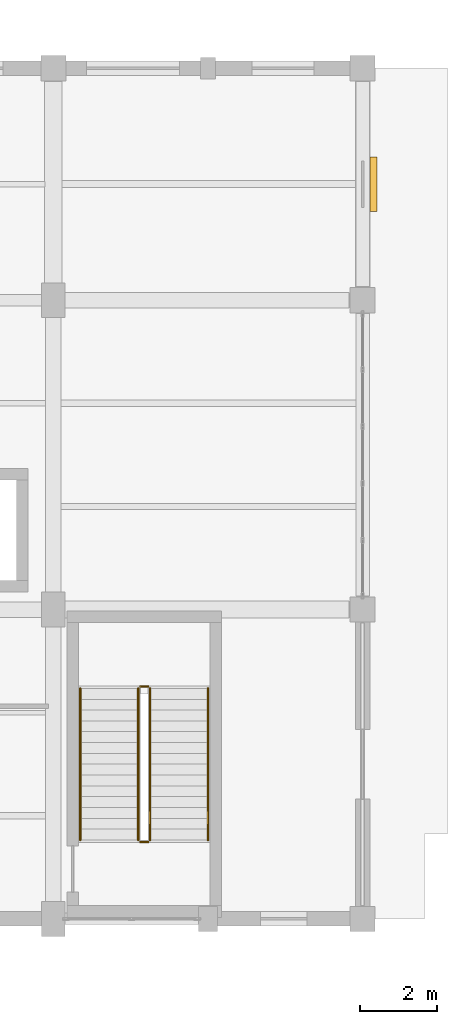
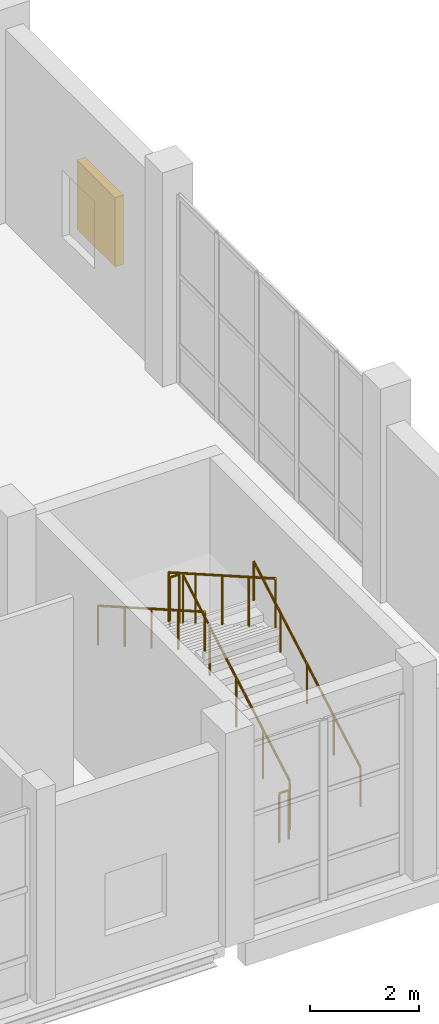
# One storey, part 154 of 156: 6 railings, 1 shading device.
"""IFC4 building model written with IfcOpenShell, lengths in metres."""

from ifc_helpers import new_model, si_unit, direction, frame, origin, origin_2d, place, context, subcontext, project, spatial, rectangle, circle, extrude, material, type_object, element, save


model = new_model("IFC4")

# Units and contexts
model_context = context("Model", 3, precision=1e-05, world=origin(), true_north=direction((0.0, 1.0)))
body_context = subcontext(model_context, "Body", "Model", "MODEL_VIEW")
ifc_project = project(units=[si_unit("LENGTHUNIT", "METRE"), si_unit("AREAUNIT", "SQUARE_METRE"), si_unit("VOLUMEUNIT", "CUBIC_METRE"), si_unit("PLANEANGLEUNIT", "RADIAN"), si_unit("MASSUNIT", "GRAM", prefix="KILO")], contexts=[model_context])

# Site, building, storey
site_placement = place(None, origin())
site = spatial("IfcSite", under=ifc_project, at=site_placement, CompositionType="ELEMENT")
building_placement = place(site_placement, origin())
building = spatial("IfcBuilding", under=site, at=building_placement, Name="Luwemba Playhouse", CompositionType="ELEMENT")
storey_placement = place(building_placement, origin())
storey = spatial("IfcBuildingStorey", under=building, at=storey_placement, Name="L00", CompositionType="ELEMENT", Elevation=0.0)

# Railings
ifc_material_1 = material(Name="Painted wrought-iron gallery balustrade", Category="steel")
railing_type_1 = type_object("IfcRailingType", Name="RLG-BAL-INT", PredefinedType="BALUSTRADE", material=ifc_material_1)
railing_1_placement = place(storey_placement, frame((166.5, 70.0400390625, 0.159912109375)))
element("IfcRailing", 1, at=railing_1_placement, inside=storey, type_object=railing_type_1, Name="L00 ST-07 stair guard 1", PredefinedType="BALUSTRADE", context=body_context, shape_type="SweptSolid", body=[
    extrude(circle(Radius=0.02392578125, at=origin_2d()), frame((0.0, 0.0, 1.09619140625), z_axis=(0.0, 0.868239814368, 0.496144761885), x_axis=(-1.0, 0.0, 0.0)), (0.0, 0.0, 1.0), 4.514892578125),
    extrude(circle(Radius=0.02099609375, at=origin_2d()), origin(), (0.0, 0.0, 1.0), 1.072021484375),
    extrude(circle(Radius=0.02099609375, at=origin_2d()), frame((0.0, 0.97998046875, 0.56005859375)), (0.0, 0.0, 1.0), 1.072021484375),
    extrude(circle(Radius=0.02099609375, at=origin_2d()), frame((0.0, 1.9599609375, 1.1201171875)), (0.0, 0.0, 1.0), 1.072021484375),
    extrude(circle(Radius=0.02099609375, at=origin_2d()), frame((0.0, 2.93994140625, 1.679931640625)), (0.0, 0.0, 1.0), 1.072021484375),
    extrude(circle(Radius=0.02099609375, at=origin_2d()), frame((0.0, 3.919921875, 2.239990234375)), (0.0, 0.0, 1.0), 1.072021484375),
])
railing_2_placement = place(storey_placement, frame((166.449951171875, 74.010009765625, 2.39990234375)))
element("IfcRailing", 2, at=railing_2_placement, inside=storey, type_object=railing_type_1, Name="L00 ST-07 stair guard 2", PredefinedType="BALUSTRADE", context=body_context, shape_type="SweptSolid", body=[
    extrude(circle(Radius=0.02392578125, at=origin_2d()), frame((0.0, 0.0, 1.09619140625), z_axis=(-1.0, 0.0, 0.0), x_axis=(0.0, -1.0, 0.0)), (0.0, 0.0, 1.0), 0.199951171875),
    extrude(circle(Radius=0.02099609375, at=origin_2d()), origin(), (0.0, 0.0, 1.0), 1.072021484375),
    extrude(circle(Radius=0.02099609375, at=origin_2d()), frame((-0.199951171875, 0.0, 0.0)), (0.0, 0.0, 1.0), 1.072021484375),
])
railing_3_placement = place(storey_placement, frame((166.199951171875, 73.9599609375, 2.56005859375)))
element("IfcRailing", 3, at=railing_3_placement, inside=storey, type_object=railing_type_1, Name="L00 ST-07 stair guard 3", PredefinedType="BALUSTRADE", context=body_context, shape_type="SweptSolid", body=[
    extrude(circle(Radius=0.02392578125, at=origin_2d()), frame((0.0, 0.0, 1.09619140625), z_axis=(0.0, -0.868239814368, 0.496144761885), x_axis=(1.0, 0.0, 0.0)), (0.0, 0.0, 1.0), 4.514892578125),
    extrude(circle(Radius=0.02099609375, at=origin_2d()), origin(), (0.0, 0.0, 1.0), 1.072021484375),
    extrude(circle(Radius=0.02099609375, at=origin_2d()), frame((0.0, -0.97998046875, 0.56005859375)), (0.0, 0.0, 1.0), 1.072021484375),
    extrude(circle(Radius=0.02099609375, at=origin_2d()), frame((0.0, -1.9599609375, 1.1201171875)), (0.0, 0.0, 1.0), 1.072021484375),
    extrude(circle(Radius=0.02099609375, at=origin_2d()), frame((0.0, -2.93994140625, 1.679931640625)), (0.0, 0.0, 1.0), 1.072021484375),
    extrude(circle(Radius=0.02099609375, at=origin_2d()), frame((0.0, -3.919921875, 2.239990234375)), (0.0, 0.0, 1.0), 1.072021484375),
])
railing_4_placement = place(storey_placement, frame((166.449951171875, 69.989990234375, 0.0)))
element("IfcRailing", 4, at=railing_4_placement, inside=storey, type_object=railing_type_1, Name="L00 ST-07 stair guard 4", PredefinedType="BALUSTRADE", context=body_context, shape_type="SweptSolid", body=[
    extrude(circle(Radius=0.02392578125, at=origin_2d()), frame((0.0, 0.0, 1.09619140625), z_axis=(-1.0, 0.0, 0.0), x_axis=(0.0, -1.0, 0.0)), (0.0, 0.0, 1.0), 0.199951171875),
    extrude(circle(Radius=0.02099609375, at=origin_2d()), origin(), (0.0, 0.0, 1.0), 1.072021484375),
    extrude(circle(Radius=0.02099609375, at=origin_2d()), frame((-0.199951171875, 0.0, 0.0)), (0.0, 0.0, 1.0), 1.072021484375),
])
ifc_material_2 = material(Name="Hardwood and bronze handrail", Category="wood")
railing_type_2 = type_object("IfcRailingType", Name="RLG-HR-INT", PredefinedType="HANDRAIL", material=ifc_material_2)
railing_5_placement = place(storey_placement, frame((168.0, 70.0400390625, 0.159912109375)))
element("IfcRailing", 5, at=railing_5_placement, inside=storey, type_object=railing_type_2, Name="L00 ST-07 stair handrail 1", PredefinedType="HANDRAIL", context=body_context, shape_type="SweptSolid", body=[
    extrude(circle(Radius=0.02392578125, at=origin_2d()), frame((0.0, 0.0, 0.8759765625), z_axis=(0.0, 0.868239814368, 0.496144761885), x_axis=(-1.0, 0.0, 0.0)), (0.0, 0.0, 1.0), 4.514892578125),
    extrude(circle(Radius=0.02099609375, at=origin_2d()), origin(), (0.0, 0.0, 1.0), 0.851806640625),
    extrude(circle(Radius=0.02099609375, at=origin_2d()), frame((0.0, 0.97998046875, 0.56005859375)), (0.0, 0.0, 1.0), 0.851806640625),
    extrude(circle(Radius=0.02099609375, at=origin_2d()), frame((0.0, 1.9599609375, 1.1201171875)), (0.0, 0.0, 1.0), 0.851806640625),
    extrude(circle(Radius=0.02099609375, at=origin_2d()), frame((0.0, 2.93994140625, 1.679931640625)), (0.0, 0.0, 1.0), 0.851806640625),
    extrude(circle(Radius=0.02099609375, at=origin_2d()), frame((0.0, 3.919921875, 2.239990234375)), (0.0, 0.0, 1.0), 0.851806640625),
])
railing_6_placement = place(storey_placement, frame((164.699951171875, 73.9599609375, 2.56005859375)))
element("IfcRailing", 6, at=railing_6_placement, inside=storey, type_object=railing_type_2, Name="L00 ST-07 stair handrail 2", PredefinedType="HANDRAIL", context=body_context, shape_type="SweptSolid", body=[
    extrude(circle(Radius=0.02392578125, at=origin_2d()), frame((0.0, 0.0, 0.8759765625), z_axis=(0.0, -0.868239814368, 0.496144761885), x_axis=(1.0, 0.0, 0.0)), (0.0, 0.0, 1.0), 4.514892578125),
    extrude(circle(Radius=0.02099609375, at=origin_2d()), origin(), (0.0, 0.0, 1.0), 0.851806640625),
    extrude(circle(Radius=0.02099609375, at=origin_2d()), frame((0.0, -0.97998046875, 0.56005859375)), (0.0, 0.0, 1.0), 0.851806640625),
    extrude(circle(Radius=0.02099609375, at=origin_2d()), frame((0.0, -1.9599609375, 1.1201171875)), (0.0, 0.0, 1.0), 0.851806640625),
    extrude(circle(Radius=0.02099609375, at=origin_2d()), frame((0.0, -2.93994140625, 1.679931640625)), (0.0, 0.0, 1.0), 0.851806640625),
    extrude(circle(Radius=0.02099609375, at=origin_2d()), frame((0.0, -3.919921875, 2.239990234375)), (0.0, 0.0, 1.0), 0.851806640625),
])

# Shading device
ifc_material_3 = material(Name="Kiln-fired terracotta gelosia louvre screen", Category="masonry")
shading_device_type = type_object("IfcShadingDeviceType", Name="SHD-GELOSIA", PredefinedType="JALOUSIE", material=ifc_material_3)
shading_device_placement = place(storey_placement, frame((172.27490234375, 87.0, 0.9248046875), z_axis=(0.0, 0.0, 1.0), x_axis=(0.0, -1.0, 0.0)))
element("IfcShadingDevice", 7, at=shading_device_placement, inside=storey, type_object=shading_device_type, Name="L00 fired-clay gelosia screen 010", PredefinedType="JALOUSIE", context=body_context, shape_type="SweptSolid", body=[
    extrude(rectangle(XDim=1.39990234375, YDim=0.179931640625, at=origin_2d()), origin(), (0.0, 0.0, 1.0), 1.550048828125),
])

save(model, "model.ifc")
